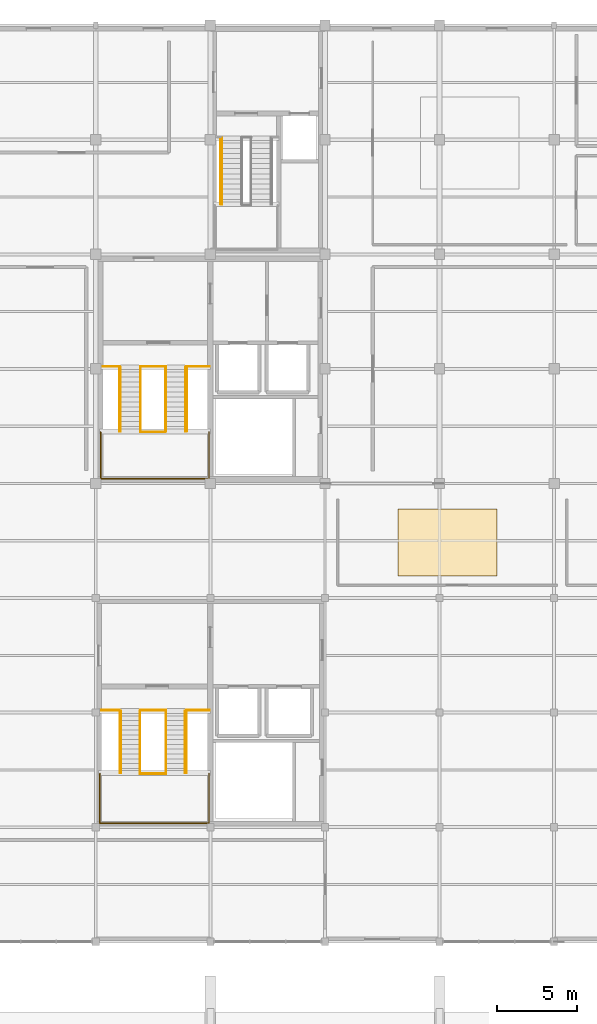
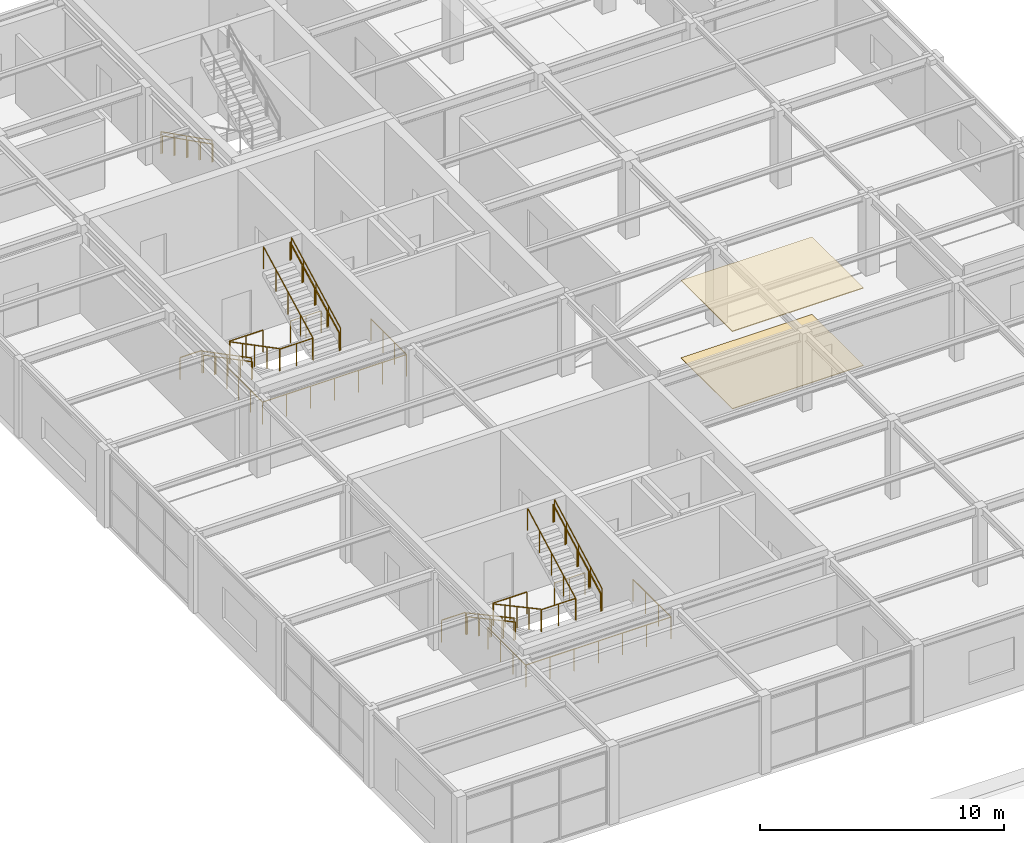
# One storey, part 62 of 64: 24 railings, 2 coverings.
"""IFC4 building model written with IfcOpenShell, lengths in metres."""

from ifc_helpers import new_model, si_unit, direction, frame, origin, origin_2d, place, context, subcontext, project, spatial, rectangle, circle, extrude, material, layer, layer_set, type_object, element, save


model = new_model("IFC4")

# Units and contexts
model_context = context("Model", 3, precision=1e-05, world=origin(), true_north=direction((0.0, 1.0)))
body_context = subcontext(model_context, "Body", "Model", "MODEL_VIEW")
ifc_project = project(units=[si_unit("LENGTHUNIT", "METRE"), si_unit("AREAUNIT", "SQUARE_METRE"), si_unit("VOLUMEUNIT", "CUBIC_METRE"), si_unit("PLANEANGLEUNIT", "RADIAN"), si_unit("MASSUNIT", "GRAM", prefix="KILO")], contexts=[model_context])

# Site, building, storey
site_placement = place(None, origin())
site = spatial("IfcSite", under=ifc_project, at=site_placement, CompositionType="ELEMENT")
building_placement = place(site_placement, origin())
building = spatial("IfcBuilding", under=site, at=building_placement, Name="Leyfeld Transit Interchange", CompositionType="ELEMENT")
storey_placement = place(building_placement, frame((0.0, 0.0, 9.60009765625)))
storey = spatial("IfcBuildingStorey", under=building, at=storey_placement, Name="L02", CompositionType="ELEMENT", Elevation=9.60009765625)

# Coverings
ifc_material_1 = material(Name="Austrian larch acoustic slat ceiling", Category="wood")
ifc_layer_1 = layer(ifc_material_1, 0.0400390625, Name="Austrian larch acoustic slat ceiling")
ifc_layer_set_1 = layer_set([ifc_layer_1], Name="Austrian larch acoustic slat ceiling")
covering_type_1 = type_object("IfcCoveringType", Name="COV-CLG-LRC", PredefinedType="CEILING", material=ifc_layer_set_1)
covering_1_placement = place(storey_placement, frame((29.300048828125, 89.89990234375, 3.864990234375), z_axis=(0.0, 0.0, 1.0), x_axis=(1.0, 0.0, 0.0)))
element("IfcCovering", 1, at=covering_1_placement, inside=storey, type_object=covering_type_1, Name="Acoustic Slat Ceiling Active Mobility Fleet Office", PredefinedType="CEILING", context=body_context, shape_type="SweptSolid", body=[
    extrude(rectangle(XDim=6.199951171875, YDim=4.199951171875, at=origin_2d()), origin(), (0.0, 0.0, 1.0), 0.0400390625),
])
ifc_material_2 = material(Name="Polished Danube terrazzo flooring", Category="stone")
ifc_layer_2 = layer(ifc_material_2, 0.030029296875, Name="Polished Danube terrazzo flooring")
ifc_layer_set_2 = layer_set([ifc_layer_2], Name="Polished Danube terrazzo flooring")
covering_type_2 = type_object("IfcCoveringType", Name="COV-FLR-TRZ", PredefinedType="FLOORING", material=ifc_layer_set_2)
covering_2_placement = place(storey_placement, frame((29.300048828125, 89.89990234375, 0.0), z_axis=(0.0, 0.0, 1.0), x_axis=(1.0, 0.0, 0.0)))
element("IfcCovering", 2, at=covering_2_placement, inside=storey, type_object=covering_type_2, Name="Terrazzo Flooring Active Mobility Fleet Office", PredefinedType="FLOORING", context=body_context, shape_type="SweptSolid", body=[
    extrude(rectangle(XDim=6.199951171875, YDim=4.199951171875, at=origin_2d()), origin(), (0.0, 0.0, 1.0), 0.030029296875),
])

# Railings
ifc_material_3 = material(Name="Stainless steel EN 1.4404", Category="steel")
railing_type_1 = type_object("IfcRailingType", Name="RL-STR-GRD-1100", PredefinedType="GUARDRAIL", material=ifc_material_3)
railing_1_placement = place(storey_placement, frame((7.669921875, 100.949951171875, 0.0)))
element("IfcRailing", 3, at=railing_1_placement, inside=storey, type_object=railing_type_1, Name="Stair ST-01 Landing Guard FLW L02", PredefinedType="GUARDRAIL", context=body_context, shape_type="SweptSolid", body=[
    extrude(circle(Radius=0.02392578125, at=origin_2d()), frame((0.0, 0.0, 1.09619140625), z_axis=(1.0, 0.0, 0.0), x_axis=(0.0, 1.0, 0.0)), (0.0, 0.0, 1.0), 1.030029296875),
    extrude(circle(Radius=0.02099609375, at=origin_2d()), origin(), (0.0, 0.0, 1.0), 1.072021484375),
    extrude(circle(Radius=0.02099609375, at=origin_2d()), frame((1.030029296875, 0.0, 0.0)), (0.0, 0.0, 1.0), 1.072021484375),
])
railing_2_placement = place(storey_placement, frame((10.0, 100.949951171875, 0.0)))
element("IfcRailing", 4, at=railing_2_placement, inside=storey, type_object=railing_type_1, Name="Stair ST-01 Landing Guard EYE L02", PredefinedType="GUARDRAIL", context=body_context, shape_type="SweptSolid", body=[
    extrude(circle(Radius=0.02392578125, at=origin_2d()), frame((0.0, 0.0, 1.09619140625), z_axis=(1.0, 0.0, 0.0), x_axis=(0.0, 1.0, 0.0)), (0.0, 0.0, 1.0), 1.60009765625),
    extrude(circle(Radius=0.02099609375, at=origin_2d()), origin(), (0.0, 0.0, 1.0), 1.072021484375),
    extrude(circle(Radius=0.02099609375, at=origin_2d()), frame((0.800048828125, 0.0, 0.0)), (0.0, 0.0, 1.0), 1.072021484375),
    extrude(circle(Radius=0.02099609375, at=origin_2d()), frame((1.60009765625, 0.0, 0.0)), (0.0, 0.0, 1.0), 1.072021484375),
])
railing_3_placement = place(storey_placement, frame((12.89990234375, 100.949951171875, 0.0)))
element("IfcRailing", 5, at=railing_3_placement, inside=storey, type_object=railing_type_1, Name="Stair ST-01 Landing Guard FLE L02", PredefinedType="GUARDRAIL", context=body_context, shape_type="SweptSolid", body=[
    extrude(circle(Radius=0.02392578125, at=origin_2d()), frame((0.0, 0.0, 1.09619140625), z_axis=(1.0, 0.0, 0.0), x_axis=(0.0, 1.0, 0.0)), (0.0, 0.0, 1.0), 1.4501953125),
    extrude(circle(Radius=0.02099609375, at=origin_2d()), origin(), (0.0, 0.0, 1.0), 1.072021484375),
    extrude(circle(Radius=0.02099609375, at=origin_2d()), frame((0.72509765625, 0.0, 0.0)), (0.0, 0.0, 1.0), 1.072021484375),
    extrude(circle(Radius=0.02099609375, at=origin_2d()), frame((1.4501953125, 0.0, 0.0)), (0.0, 0.0, 1.0), 1.072021484375),
])
railing_4_placement = place(storey_placement, frame((10.010009765625, 96.830078125, 2.099853515625)))
element("IfcRailing", 6, at=railing_4_placement, inside=storey, type_object=railing_type_1, Name="Stair ST-01 L02 Half-Landing Inner Guard", PredefinedType="GUARDRAIL", context=body_context, shape_type="SweptSolid", body=[
    extrude(circle(Radius=0.02392578125, at=origin_2d()), frame((0.0, 0.0, 1.09619140625), z_axis=(1.0, 0.0, 0.0), x_axis=(0.0, 1.0, 0.0)), (0.0, 0.0, 1.0), 1.580078125),
    extrude(circle(Radius=0.02099609375, at=origin_2d()), origin(), (0.0, 0.0, 1.0), 1.072021484375),
    extrude(circle(Radius=0.02099609375, at=origin_2d()), frame((0.7900390625, 0.0, 0.0)), (0.0, 0.0, 1.0), 1.072021484375),
    extrude(circle(Radius=0.02099609375, at=origin_2d()), frame((1.580078125, 0.0, 0.0)), (0.0, 0.0, 1.0), 1.072021484375),
])
railing_5_placement = place(storey_placement, frame((7.5048828125, 96.830078125, 2.099853515625)))
element("IfcRailing", 7, at=railing_5_placement, inside=storey, type_object=railing_type_1, Name="Stair ST-01 L02 Half-Landing Perimeter Guard", PredefinedType="GUARDRAIL", context=body_context, shape_type="SweptSolid", body=[
    extrude(circle(Radius=0.02392578125, at=origin_2d()), frame((0.0, 0.0, 1.09619140625), z_axis=(0.0, -1.0, 0.0), x_axis=(1.0, 0.0, 0.0)), (0.0, 0.0, 1.0), 2.925048828125),
    extrude(circle(Radius=0.02392578125, at=origin_2d()), frame((0.0, -2.925048828125, 1.09619140625), z_axis=(1.0, 0.0, 0.0), x_axis=(0.0, 1.0, 0.0)), (0.0, 0.0, 1.0), 6.815185546875),
    extrude(circle(Radius=0.02392578125, at=origin_2d()), frame((6.815185546875, -2.925048828125, 1.09619140625), z_axis=(0.0, 1.0, 0.0), x_axis=(-1.0, 0.0, 0.0)), (0.0, 0.0, 1.0), 2.925048828125),
    extrude(circle(Radius=0.02099609375, at=origin_2d()), origin(), (0.0, 0.0, 1.0), 1.072021484375),
    extrude(circle(Radius=0.02099609375, at=origin_2d()), frame((0.0, -0.97509765625, 0.0)), (0.0, 0.0, 1.0), 1.072021484375),
    extrude(circle(Radius=0.02099609375, at=origin_2d()), frame((0.0, -1.949951171875, 0.0)), (0.0, 0.0, 1.0), 1.072021484375),
    extrude(circle(Radius=0.02099609375, at=origin_2d()), frame((0.0, -2.925048828125, 0.0)), (0.0, 0.0, 1.0), 1.072021484375),
    extrude(circle(Radius=0.02099609375, at=origin_2d()), frame((1.1357421875, -2.925048828125, 0.0)), (0.0, 0.0, 1.0), 1.072021484375),
    extrude(circle(Radius=0.02099609375, at=origin_2d()), frame((2.271728515625, -2.925048828125, 0.0)), (0.0, 0.0, 1.0), 1.072021484375),
    extrude(circle(Radius=0.02099609375, at=origin_2d()), frame((3.40771484375, -2.925048828125, 0.0)), (0.0, 0.0, 1.0), 1.072021484375),
    extrude(circle(Radius=0.02099609375, at=origin_2d()), frame((4.54345703125, -2.925048828125, 0.0)), (0.0, 0.0, 1.0), 1.072021484375),
    extrude(circle(Radius=0.02099609375, at=origin_2d()), frame((5.67919921875, -2.925048828125, 0.0)), (0.0, 0.0, 1.0), 1.072021484375),
    extrude(circle(Radius=0.02099609375, at=origin_2d()), frame((6.815185546875, -2.925048828125, 0.0)), (0.0, 0.0, 1.0), 1.072021484375),
    extrude(circle(Radius=0.02099609375, at=origin_2d()), frame((6.815185546875, -1.949951171875, 0.0)), (0.0, 0.0, 1.0), 1.072021484375),
    extrude(circle(Radius=0.02099609375, at=origin_2d()), frame((6.815185546875, -0.97509765625, 0.0)), (0.0, 0.0, 1.0), 1.072021484375),
    extrude(circle(Radius=0.02099609375, at=origin_2d()), frame((6.815185546875, 0.0, 0.0)), (0.0, 0.0, 1.0), 1.072021484375),
])
for number, where, name in (
    (8, (10.010009765625, 100.89990234375, 0.0), "Stair ST-01 L02 F1 Inner Guard"),
    (9, (8.68994140625, 100.89990234375, 0.0), "Stair ST-01 L02 F1 Outer Guard"),
):
    element("IfcRailing", number, at=place(storey_placement, frame(where)), inside=storey, type_object=railing_type_1, Name=name, PredefinedType="GUARDRAIL", context=body_context, shape_type="SweptSolid", body=[
        extrude(circle(Radius=0.02392578125, at=origin_2d()), frame((0.0, 0.0, 1.09619140625), z_axis=(0.0, -0.886823268033, 0.462108743993), x_axis=(1.0, 0.0, 0.0)), (0.0, 0.0, 1.0), 4.544189453125),
        extrude(circle(Radius=0.02099609375, at=origin_2d()), origin(), (0.0, 0.0, 1.0), 1.072021484375),
        extrude(circle(Radius=0.02099609375, at=origin_2d()), frame((0.0, -1.00732421875, 0.52490234375)), (0.0, 0.0, 1.0), 1.072021484375),
        extrude(circle(Radius=0.02099609375, at=origin_2d()), frame((0.0, -2.014892578125, 1.0498046875)), (0.0, 0.0, 1.0), 1.072021484375),
        extrude(circle(Radius=0.02099609375, at=origin_2d()), frame((0.0, -3.0224609375, 1.574951171875)), (0.0, 0.0, 1.0), 1.072021484375),
        extrude(circle(Radius=0.02099609375, at=origin_2d()), frame((0.0, -4.02978515625, 2.099853515625)), (0.0, 0.0, 1.0), 1.072021484375),
    ])
for number, where, name in (
    (10, (11.590087890625, 96.8701171875, 2.099853515625), "Stair ST-01 L02 F2 Inner Guard"),
    (11, (12.909912109375, 96.8701171875, 2.099853515625), "Stair ST-01 L02 F2 Outer Guard"),
):
    element("IfcRailing", number, at=place(storey_placement, frame(where)), inside=storey, type_object=railing_type_1, Name=name, PredefinedType="GUARDRAIL", context=body_context, shape_type="SweptSolid", body=[
        extrude(circle(Radius=0.02392578125, at=origin_2d()), frame((0.0, 0.0, 1.09619140625), z_axis=(0.0, 0.886801249642, 0.462150996572), x_axis=(-1.0, 0.0, 0.0)), (0.0, 0.0, 1.0), 4.544189453125),
        extrude(circle(Radius=0.02099609375, at=origin_2d()), origin(), (0.0, 0.0, 1.0), 1.072021484375),
        extrude(circle(Radius=0.02099609375, at=origin_2d()), frame((0.0, 1.00732421875, 0.52490234375)), (0.0, 0.0, 1.0), 1.072021484375),
        extrude(circle(Radius=0.02099609375, at=origin_2d()), frame((0.0, 2.014892578125, 1.050048828125)), (0.0, 0.0, 1.0), 1.072021484375),
        extrude(circle(Radius=0.02099609375, at=origin_2d()), frame((0.0, 3.0224609375, 1.5751953125)), (0.0, 0.0, 1.0), 1.072021484375),
        extrude(circle(Radius=0.02099609375, at=origin_2d()), frame((0.0, 4.02978515625, 2.10009765625)), (0.0, 0.0, 1.0), 1.072021484375),
    ])
railing_6_placement = place(storey_placement, frame((15.06005859375, 115.300048828125, 0.0)))
element("IfcRailing", 12, at=railing_6_placement, inside=storey, type_object=railing_type_1, Name="Stair ST-02 L02 F1 Outer Guard", PredefinedType="GUARDRAIL", context=body_context, shape_type="SweptSolid", body=[
    extrude(circle(Radius=0.02392578125, at=origin_2d()), frame((0.0, 0.0, 1.09619140625), z_axis=(0.0, -0.892723316593, 0.450605237442), x_axis=(1.0, 0.0, 0.0)), (0.0, 0.0, 1.0), 4.66015625),
    extrude(circle(Radius=0.02099609375, at=origin_2d()), origin(), (0.0, 0.0, 1.0), 1.072021484375),
    extrude(circle(Radius=0.02099609375, at=origin_2d()), frame((0.0, -1.0400390625, 0.52490234375)), (0.0, 0.0, 1.0), 1.072021484375),
    extrude(circle(Radius=0.02099609375, at=origin_2d()), frame((0.0, -2.080078125, 1.0498046875)), (0.0, 0.0, 1.0), 1.072021484375),
    extrude(circle(Radius=0.02099609375, at=origin_2d()), frame((0.0, -3.1201171875, 1.574951171875)), (0.0, 0.0, 1.0), 1.072021484375),
    extrude(circle(Radius=0.02099609375, at=origin_2d()), frame((0.0, -4.16015625, 2.099853515625)), (0.0, 0.0, 1.0), 1.072021484375),
])
railing_7_placement = place(storey_placement, frame((7.570068359375, 79.35009765625, 0.0)))
element("IfcRailing", 13, at=railing_7_placement, inside=storey, type_object=railing_type_1, Name="Stair ST-03 Landing Guard FLW L02", PredefinedType="GUARDRAIL", context=body_context, shape_type="SweptSolid", body=[
    extrude(circle(Radius=0.02392578125, at=origin_2d()), frame((0.0, 0.0, 1.09619140625), z_axis=(1.0, 0.0, 0.0), x_axis=(0.0, 1.0, 0.0)), (0.0, 0.0, 1.0), 1.1298828125),
    extrude(circle(Radius=0.02099609375, at=origin_2d()), origin(), (0.0, 0.0, 1.0), 1.072021484375),
    extrude(circle(Radius=0.02099609375, at=origin_2d()), frame((1.1298828125, 0.0, 0.0)), (0.0, 0.0, 1.0), 1.072021484375),
])
railing_8_placement = place(storey_placement, frame((10.0, 79.35009765625, 0.0)))
element("IfcRailing", 14, at=railing_8_placement, inside=storey, type_object=railing_type_1, Name="Stair ST-03 Landing Guard EYE L02", PredefinedType="GUARDRAIL", context=body_context, shape_type="SweptSolid", body=[
    extrude(circle(Radius=0.02392578125, at=origin_2d()), frame((0.0, 0.0, 1.09619140625), z_axis=(1.0, 0.0, 0.0), x_axis=(0.0, 1.0, 0.0)), (0.0, 0.0, 1.0), 1.60009765625),
    extrude(circle(Radius=0.02099609375, at=origin_2d()), origin(), (0.0, 0.0, 1.0), 1.072021484375),
    extrude(circle(Radius=0.02099609375, at=origin_2d()), frame((0.800048828125, 0.0, 0.0)), (0.0, 0.0, 1.0), 1.072021484375),
    extrude(circle(Radius=0.02099609375, at=origin_2d()), frame((1.60009765625, 0.0, 0.0)), (0.0, 0.0, 1.0), 1.072021484375),
])
railing_9_placement = place(storey_placement, frame((12.89990234375, 79.35009765625, 0.0)))
element("IfcRailing", 15, at=railing_9_placement, inside=storey, type_object=railing_type_1, Name="Stair ST-03 Landing Guard FLE L02", PredefinedType="GUARDRAIL", context=body_context, shape_type="SweptSolid", body=[
    extrude(circle(Radius=0.02392578125, at=origin_2d()), frame((0.0, 0.0, 1.09619140625), z_axis=(1.0, 0.0, 0.0), x_axis=(0.0, 1.0, 0.0)), (0.0, 0.0, 1.0), 1.4501953125),
    extrude(circle(Radius=0.02099609375, at=origin_2d()), origin(), (0.0, 0.0, 1.0), 1.072021484375),
    extrude(circle(Radius=0.02099609375, at=origin_2d()), frame((0.72509765625, 0.0, 0.0)), (0.0, 0.0, 1.0), 1.072021484375),
    extrude(circle(Radius=0.02099609375, at=origin_2d()), frame((1.4501953125, 0.0, 0.0)), (0.0, 0.0, 1.0), 1.072021484375),
])
railing_10_placement = place(storey_placement, frame((9.985107421875, 75.360107421875, 2.099853515625)))
element("IfcRailing", 16, at=railing_10_placement, inside=storey, type_object=railing_type_1, Name="Stair ST-03 L02 Half-Landing Inner Guard", PredefinedType="GUARDRAIL", context=body_context, shape_type="SweptSolid", body=[
    extrude(circle(Radius=0.02392578125, at=origin_2d()), frame((0.0, 0.0, 1.09619140625), z_axis=(1.0, 0.0, 0.0), x_axis=(0.0, 1.0, 0.0)), (0.0, 0.0, 1.0), 1.6298828125),
    extrude(circle(Radius=0.02099609375, at=origin_2d()), origin(), (0.0, 0.0, 1.0), 1.072021484375),
    extrude(circle(Radius=0.02099609375, at=origin_2d()), frame((0.81494140625, 0.0, 0.0)), (0.0, 0.0, 1.0), 1.072021484375),
    extrude(circle(Radius=0.02099609375, at=origin_2d()), frame((1.6298828125, 0.0, 0.0)), (0.0, 0.0, 1.0), 1.072021484375),
])
railing_11_placement = place(storey_placement, frame((7.455078125, 75.360107421875, 2.099853515625)))
element("IfcRailing", 17, at=railing_11_placement, inside=storey, type_object=railing_type_1, Name="Stair ST-03 L02 Half-Landing Perimeter Guard", PredefinedType="GUARDRAIL", context=body_context, shape_type="SweptSolid", body=[
    extrude(circle(Radius=0.02392578125, at=origin_2d()), frame((0.0, 0.0, 1.09619140625), z_axis=(0.0, -1.0, 0.0), x_axis=(1.0, 0.0, 0.0)), (0.0, 0.0, 1.0), 3.105224609375),
    extrude(circle(Radius=0.02392578125, at=origin_2d()), frame((0.0, -3.105224609375, 1.09619140625), z_axis=(1.0, 0.0, 0.0), x_axis=(0.0, 1.0, 0.0)), (0.0, 0.0, 1.0), 6.864990234375),
    extrude(circle(Radius=0.02392578125, at=origin_2d()), frame((6.864990234375, -3.105224609375, 1.09619140625), z_axis=(0.0, 1.0, 0.0), x_axis=(-1.0, 0.0, 0.0)), (0.0, 0.0, 1.0), 3.105224609375),
    extrude(circle(Radius=0.02099609375, at=origin_2d()), origin(), (0.0, 0.0, 1.0), 1.072021484375),
    extrude(circle(Radius=0.02099609375, at=origin_2d()), frame((0.0, -1.03515625, 0.0)), (0.0, 0.0, 1.0), 1.072021484375),
    extrude(circle(Radius=0.02099609375, at=origin_2d()), frame((0.0, -2.070068359375, 0.0)), (0.0, 0.0, 1.0), 1.072021484375),
    extrude(circle(Radius=0.02099609375, at=origin_2d()), frame((0.0, -3.105224609375, 0.0)), (0.0, 0.0, 1.0), 1.072021484375),
    extrude(circle(Radius=0.02099609375, at=origin_2d()), frame((1.14404296875, -3.105224609375, 0.0)), (0.0, 0.0, 1.0), 1.072021484375),
    extrude(circle(Radius=0.02099609375, at=origin_2d()), frame((2.288330078125, -3.105224609375, 0.0)), (0.0, 0.0, 1.0), 1.072021484375),
    extrude(circle(Radius=0.02099609375, at=origin_2d()), frame((3.4326171875, -3.105224609375, 0.0)), (0.0, 0.0, 1.0), 1.072021484375),
    extrude(circle(Radius=0.02099609375, at=origin_2d()), frame((4.57666015625, -3.105224609375, 0.0)), (0.0, 0.0, 1.0), 1.072021484375),
    extrude(circle(Radius=0.02099609375, at=origin_2d()), frame((5.720703125, -3.105224609375, 0.0)), (0.0, 0.0, 1.0), 1.072021484375),
    extrude(circle(Radius=0.02099609375, at=origin_2d()), frame((6.864990234375, -3.105224609375, 0.0)), (0.0, 0.0, 1.0), 1.072021484375),
    extrude(circle(Radius=0.02099609375, at=origin_2d()), frame((6.864990234375, -2.070068359375, 0.0)), (0.0, 0.0, 1.0), 1.072021484375),
    extrude(circle(Radius=0.02099609375, at=origin_2d()), frame((6.864990234375, -1.03515625, 0.0)), (0.0, 0.0, 1.0), 1.072021484375),
    extrude(circle(Radius=0.02099609375, at=origin_2d()), frame((6.864990234375, 0.0, 0.0)), (0.0, 0.0, 1.0), 1.072021484375),
])
for number, where, name in (
    (18, (9.985107421875, 79.300048828125, 0.0), "Stair ST-03 L02 F1 Inner Guard"),
    (19, (8.715087890625, 79.300048828125, 0.0), "Stair ST-03 L02 F1 Outer Guard"),
):
    element("IfcRailing", number, at=place(storey_placement, frame(where)), inside=storey, type_object=railing_type_1, Name=name, PredefinedType="GUARDRAIL", context=body_context, shape_type="SweptSolid", body=[
        extrude(circle(Radius=0.02392578125, at=origin_2d()), frame((0.0, 0.0, 1.09619140625), z_axis=(0.0, -0.88049233674, 0.474060381114), x_axis=(1.0, 0.0, 0.0)), (0.0, 0.0, 1.0), 4.429443359375),
        extrude(circle(Radius=0.02099609375, at=origin_2d()), origin(), (0.0, 0.0, 1.0), 1.072021484375),
        extrude(circle(Radius=0.02099609375, at=origin_2d()), frame((0.0, -0.97509765625, 0.52490234375)), (0.0, 0.0, 1.0), 1.072021484375),
        extrude(circle(Radius=0.02099609375, at=origin_2d()), frame((0.0, -1.9501953125, 1.0498046875)), (0.0, 0.0, 1.0), 1.072021484375),
        extrude(circle(Radius=0.02099609375, at=origin_2d()), frame((0.0, -2.925048828125, 1.574951171875)), (0.0, 0.0, 1.0), 1.072021484375),
        extrude(circle(Radius=0.02099609375, at=origin_2d()), frame((0.0, -3.900146484375, 2.099853515625)), (0.0, 0.0, 1.0), 1.072021484375),
    ])
for number, where, name in (
    (20, (11.614990234375, 75.39990234375, 2.099853515625), "Stair ST-03 L02 F2 Inner Guard"),
    (21, (12.885009765625, 75.39990234375, 2.099853515625), "Stair ST-03 L02 F2 Outer Guard"),
):
    element("IfcRailing", number, at=place(storey_placement, frame(where)), inside=storey, type_object=railing_type_1, Name=name, PredefinedType="GUARDRAIL", context=body_context, shape_type="SweptSolid", body=[
        extrude(circle(Radius=0.02392578125, at=origin_2d()), frame((0.0, 0.0, 1.09619140625), z_axis=(0.0, 0.880469330154, 0.474103109733), x_axis=(-1.0, 0.0, 0.0)), (0.0, 0.0, 1.0), 4.4296875),
        extrude(circle(Radius=0.02099609375, at=origin_2d()), origin(), (0.0, 0.0, 1.0), 1.072021484375),
        extrude(circle(Radius=0.02099609375, at=origin_2d()), frame((0.0, 0.97509765625, 0.52490234375)), (0.0, 0.0, 1.0), 1.072021484375),
        extrude(circle(Radius=0.02099609375, at=origin_2d()), frame((0.0, 1.9501953125, 1.050048828125)), (0.0, 0.0, 1.0), 1.072021484375),
        extrude(circle(Radius=0.02099609375, at=origin_2d()), frame((0.0, 2.925048828125, 1.5751953125)), (0.0, 0.0, 1.0), 1.072021484375),
        extrude(circle(Radius=0.02099609375, at=origin_2d()), frame((0.0, 3.900146484375, 2.10009765625)), (0.0, 0.0, 1.0), 1.072021484375),
    ])
railing_type_2 = type_object("IfcRailingType", Name="RL-STR-HND-900", PredefinedType="HANDRAIL", material=ifc_material_3)
railing_12_placement = place(storey_placement, frame((8.75, 100.89990234375, 0.0)))
element("IfcRailing", 22, at=railing_12_placement, inside=storey, type_object=railing_type_2, Name="Stair ST-01 L02 F1 Handrail", PredefinedType="HANDRAIL", context=body_context, shape_type="SweptSolid", body=[
    extrude(circle(Radius=0.02392578125, at=origin_2d()), frame((0.0, 0.0, 0.8759765625), z_axis=(0.0, -0.886823268033, 0.462108743993), x_axis=(1.0, 0.0, 0.0)), (0.0, 0.0, 1.0), 4.544189453125),
    extrude(circle(Radius=0.02099609375, at=origin_2d()), origin(), (0.0, 0.0, 1.0), 0.851806640625),
    extrude(circle(Radius=0.02099609375, at=origin_2d()), frame((0.0, -1.00732421875, 0.52490234375)), (0.0, 0.0, 1.0), 0.851806640625),
    extrude(circle(Radius=0.02099609375, at=origin_2d()), frame((0.0, -2.014892578125, 1.0498046875)), (0.0, 0.0, 1.0), 0.851806640625),
    extrude(circle(Radius=0.02099609375, at=origin_2d()), frame((0.0, -3.0224609375, 1.574951171875)), (0.0, 0.0, 1.0), 0.851806640625),
    extrude(circle(Radius=0.02099609375, at=origin_2d()), frame((0.0, -4.02978515625, 2.099853515625)), (0.0, 0.0, 1.0), 0.851806640625),
])
railing_13_placement = place(storey_placement, frame((12.85009765625, 96.8701171875, 2.099853515625)))
element("IfcRailing", 23, at=railing_13_placement, inside=storey, type_object=railing_type_2, Name="Stair ST-01 L02 F2 Handrail", PredefinedType="HANDRAIL", context=body_context, shape_type="SweptSolid", body=[
    extrude(circle(Radius=0.02392578125, at=origin_2d()), frame((0.0, 0.0, 0.8759765625), z_axis=(0.0, 0.886801249642, 0.462150996572), x_axis=(-1.0, 0.0, 0.0)), (0.0, 0.0, 1.0), 4.544189453125),
    extrude(circle(Radius=0.02099609375, at=origin_2d()), origin(), (0.0, 0.0, 1.0), 0.851806640625),
    extrude(circle(Radius=0.02099609375, at=origin_2d()), frame((0.0, 1.00732421875, 0.52490234375)), (0.0, 0.0, 1.0), 0.851806640625),
    extrude(circle(Radius=0.02099609375, at=origin_2d()), frame((0.0, 2.014892578125, 1.050048828125)), (0.0, 0.0, 1.0), 0.851806640625),
    extrude(circle(Radius=0.02099609375, at=origin_2d()), frame((0.0, 3.0224609375, 1.5751953125)), (0.0, 0.0, 1.0), 0.851806640625),
    extrude(circle(Radius=0.02099609375, at=origin_2d()), frame((0.0, 4.02978515625, 2.10009765625)), (0.0, 0.0, 1.0), 0.851806640625),
])
railing_14_placement = place(storey_placement, frame((15.1201171875, 115.300048828125, 0.0)))
element("IfcRailing", 24, at=railing_14_placement, inside=storey, type_object=railing_type_2, Name="Stair ST-02 L02 F1 Handrail", PredefinedType="HANDRAIL", context=body_context, shape_type="SweptSolid", body=[
    extrude(circle(Radius=0.02392578125, at=origin_2d()), frame((0.0, 0.0, 0.8759765625), z_axis=(0.0, -0.892723316593, 0.450605237442), x_axis=(1.0, 0.0, 0.0)), (0.0, 0.0, 1.0), 4.66015625),
    extrude(circle(Radius=0.02099609375, at=origin_2d()), origin(), (0.0, 0.0, 1.0), 0.851806640625),
    extrude(circle(Radius=0.02099609375, at=origin_2d()), frame((0.0, -1.0400390625, 0.52490234375)), (0.0, 0.0, 1.0), 0.851806640625),
    extrude(circle(Radius=0.02099609375, at=origin_2d()), frame((0.0, -2.080078125, 1.0498046875)), (0.0, 0.0, 1.0), 0.851806640625),
    extrude(circle(Radius=0.02099609375, at=origin_2d()), frame((0.0, -3.1201171875, 1.574951171875)), (0.0, 0.0, 1.0), 0.851806640625),
    extrude(circle(Radius=0.02099609375, at=origin_2d()), frame((0.0, -4.16015625, 2.099853515625)), (0.0, 0.0, 1.0), 0.851806640625),
])
railing_15_placement = place(storey_placement, frame((8.77490234375, 79.300048828125, 0.0)))
element("IfcRailing", 25, at=railing_15_placement, inside=storey, type_object=railing_type_2, Name="Stair ST-03 L02 F1 Handrail", PredefinedType="HANDRAIL", context=body_context, shape_type="SweptSolid", body=[
    extrude(circle(Radius=0.02392578125, at=origin_2d()), frame((0.0, 0.0, 0.8759765625), z_axis=(0.0, -0.88049233674, 0.474060381114), x_axis=(1.0, 0.0, 0.0)), (0.0, 0.0, 1.0), 4.429443359375),
    extrude(circle(Radius=0.02099609375, at=origin_2d()), origin(), (0.0, 0.0, 1.0), 0.851806640625),
    extrude(circle(Radius=0.02099609375, at=origin_2d()), frame((0.0, -0.97509765625, 0.52490234375)), (0.0, 0.0, 1.0), 0.851806640625),
    extrude(circle(Radius=0.02099609375, at=origin_2d()), frame((0.0, -1.9501953125, 1.0498046875)), (0.0, 0.0, 1.0), 0.851806640625),
    extrude(circle(Radius=0.02099609375, at=origin_2d()), frame((0.0, -2.925048828125, 1.574951171875)), (0.0, 0.0, 1.0), 0.851806640625),
    extrude(circle(Radius=0.02099609375, at=origin_2d()), frame((0.0, -3.900146484375, 2.099853515625)), (0.0, 0.0, 1.0), 0.851806640625),
])
railing_16_placement = place(storey_placement, frame((12.824951171875, 75.39990234375, 2.099853515625)))
element("IfcRailing", 26, at=railing_16_placement, inside=storey, type_object=railing_type_2, Name="Stair ST-03 L02 F2 Handrail", PredefinedType="HANDRAIL", context=body_context, shape_type="SweptSolid", body=[
    extrude(circle(Radius=0.02392578125, at=origin_2d()), frame((0.0, 0.0, 0.8759765625), z_axis=(0.0, 0.880469330154, 0.474103109733), x_axis=(-1.0, 0.0, 0.0)), (0.0, 0.0, 1.0), 4.4296875),
    extrude(circle(Radius=0.02099609375, at=origin_2d()), origin(), (0.0, 0.0, 1.0), 0.851806640625),
    extrude(circle(Radius=0.02099609375, at=origin_2d()), frame((0.0, 0.97509765625, 0.52490234375)), (0.0, 0.0, 1.0), 0.851806640625),
    extrude(circle(Radius=0.02099609375, at=origin_2d()), frame((0.0, 1.9501953125, 1.050048828125)), (0.0, 0.0, 1.0), 0.851806640625),
    extrude(circle(Radius=0.02099609375, at=origin_2d()), frame((0.0, 2.925048828125, 1.5751953125)), (0.0, 0.0, 1.0), 0.851806640625),
    extrude(circle(Radius=0.02099609375, at=origin_2d()), frame((0.0, 3.900146484375, 2.10009765625)), (0.0, 0.0, 1.0), 0.851806640625),
])

save(model, "model.ifc")
